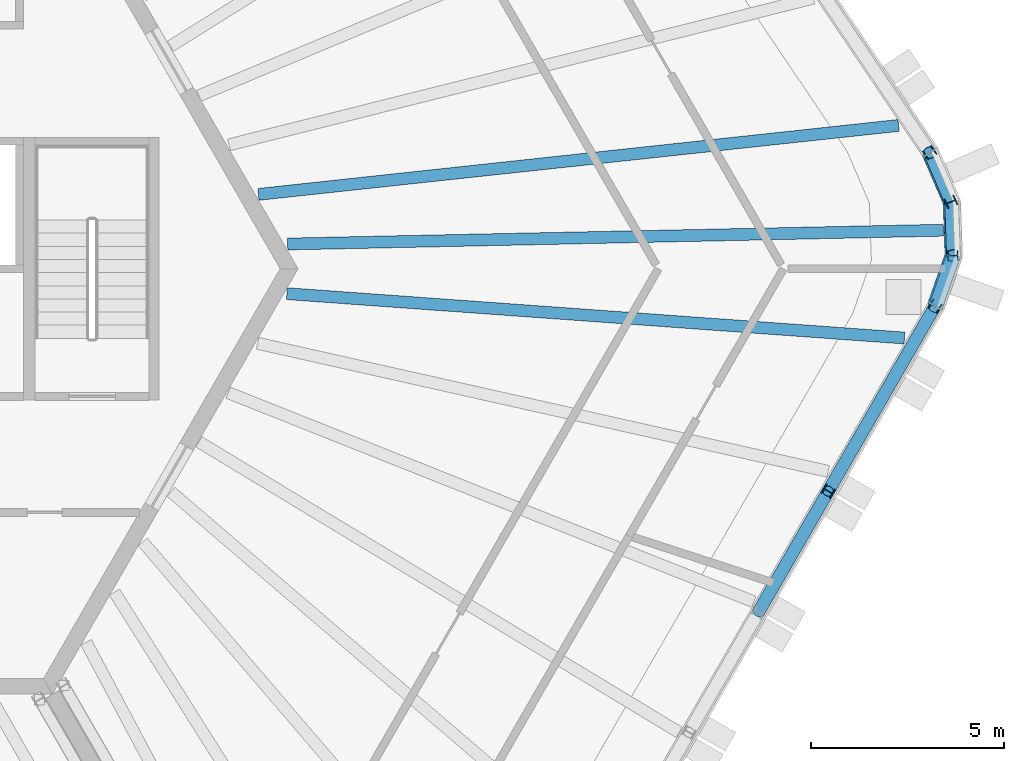
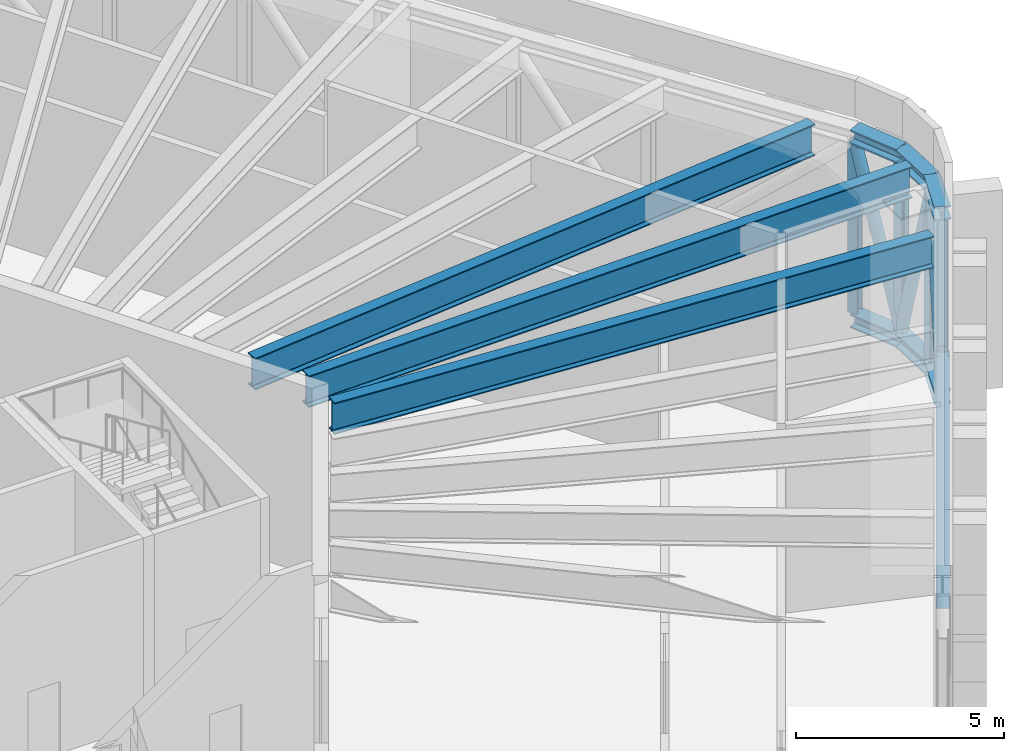
# One storey, part 5 of 19: 16 members, 3 beams.
"""IFC4 building model written with IfcOpenShell, lengths in metres."""

from ifc_helpers import new_model, si_unit, direction, frame, origin, origin_2d, place, context, subcontext, project, spatial, hollow_circle, i_section, extrude, material, material_profile, profile_set, type_object, element, save


model = new_model("IFC4")

# Units and contexts
model_context = context("Model", 3, precision=1e-05, world=origin(), true_north=direction((0.0, 1.0)))
body_context = subcontext(model_context, "Body", "Model", "MODEL_VIEW")
ifc_project = project(units=[si_unit("LENGTHUNIT", "METRE"), si_unit("AREAUNIT", "SQUARE_METRE"), si_unit("VOLUMEUNIT", "CUBIC_METRE"), si_unit("PLANEANGLEUNIT", "RADIAN"), si_unit("MASSUNIT", "GRAM", prefix="KILO")], contexts=[model_context])

# Site, building, storey
site_placement = place(None, origin())
site = spatial("IfcSite", under=ifc_project, at=site_placement, CompositionType="ELEMENT")
building_placement = place(site_placement, origin())
building = spatial("IfcBuilding", under=site, at=building_placement, Name="Tarnside Tower", CompositionType="ELEMENT")
storey_placement = place(building_placement, frame((0.0, 0.0, 343.5)))
storey = spatial("IfcBuildingStorey", under=building, at=storey_placement, Name="L83", CompositionType="ELEMENT", Elevation=343.5)

# Beams
ifc_material = material(Name="Steel S355", Category="steel")
ifc_material_profile_1 = material_profile(ifc_material, i_section(OverallWidth=0.3076171875, OverallDepth=0.926513671875, WebThickness=0.01953125, FlangeThickness=0.031982421875, FilletRadius=0.01904296875, at=origin_2d()), Name="UB 914x305x289")
ifc_profile_set_1 = profile_set([ifc_material_profile_1], Name="Steel S355")
beam_type = type_object("IfcBeamType", Name="Floor beam UB 914x305x289", PredefinedType="BEAM", material=ifc_profile_set_1)
beam_1_placement = place(storey_placement, frame((28.383544921875, -1.79150390625, 5.03662109375), z_axis=(-0.997427723748, 0.071679396611, 0.0), x_axis=(-0.071679396611, -0.997427723748, 0.0)))
element("IfcBeam", 1, at=beam_1_placement, inside=storey, type_object=beam_type, Name="Floor beam F5.07", PredefinedType="BEAM", context=body_context, shape_type="SweptSolid", body=[
    extrude(i_section(OverallWidth=0.3076171875, OverallDepth=0.926513671875, WebThickness=0.01953125, FlangeThickness=0.031982421875, FilletRadius=0.01904296875, at=origin_2d()), origin(), (0.0, 0.0, 1.0), 16.01171875),
])
beam_2_placement = place(storey_placement, frame((29.388671875, 0.9970703125, 5.03662109375), z_axis=(-0.999778801682, -0.021032063776, 0.0), x_axis=(0.021032063776, -0.999778801682, 0.0)))
element("IfcBeam", 2, at=beam_2_placement, inside=storey, type_object=beam_type, Name="Floor beam C5", PredefinedType="BEAM", context=body_context, shape_type="SweptSolid", body=[
    extrude(i_section(OverallWidth=0.3076171875, OverallDepth=0.926513671875, WebThickness=0.01953125, FlangeThickness=0.031982421875, FilletRadius=0.01904296875, at=origin_2d()), origin(), (0.0, 0.0, 1.0), 16.959228515625),
])
beam_3_placement = place(storey_placement, frame((28.231689453125, 3.706298828125, 5.03662109375), z_axis=(-0.994249483242, -0.107088585162, 0.0), x_axis=(0.107088585162, -0.994249483242, 0.0)))
element("IfcBeam", 3, at=beam_3_placement, inside=storey, type_object=beam_type, Name="Floor beam F6.01", PredefinedType="BEAM", context=body_context, shape_type="SweptSolid", body=[
    extrude(i_section(OverallWidth=0.3076171875, OverallDepth=0.926513671875, WebThickness=0.01953125, FlangeThickness=0.031982421875, FilletRadius=0.01904296875, at=origin_2d()), origin(), (0.0, 0.0, 1.0), 16.651611328125),
])

# Members
ifc_material_profile_2 = material_profile(ifc_material, i_section(OverallWidth=0.39892578125, OverallDepth=0.3935546875, WebThickness=0.022705078125, FlangeThickness=0.03662109375, FilletRadius=0.01513671875, at=origin_2d()), Name="UC 356x406x287")
ifc_profile_set_2 = profile_set([ifc_material_profile_2], Name="Steel S355")
member_type_1 = type_object("IfcMemberType", Name="Truss chord UC 356x406x287", PredefinedType="CHORD", material=ifc_profile_set_2)
for number, where, z_axis, x_axis, name in (
    (4, (29.173583984375, -0.969482421875, -0.103271484375), (0.331172877853, 0.943570095422, 0.0), (-0.943570095422, 0.331172877853, 0.0), "Belt truss bottom chord L83 corner5.1"),
    (5, (29.63330078125, 0.34033203125, -0.103271484375), (-0.034819626142, 0.999393612965, 0.0), (-0.999393612965, -0.034819626142, 0.0), "Belt truss bottom chord L83 corner5.2"),
):
    element("IfcMember", number, at=place(storey_placement, frame(where, z_axis=z_axis, x_axis=x_axis)), inside=storey, type_object=member_type_1, Name=name, PredefinedType="CHORD", context=body_context, shape_type="SweptSolid", body=[
        extrude(i_section(OverallWidth=0.39892578125, OverallDepth=0.3935546875, WebThickness=0.022705078125, FlangeThickness=0.03662109375, FilletRadius=0.01513671875, at=origin_2d()), origin(), (0.0, 0.0, 1.0), 1.38818359375),
    ])
member_1_placement = place(storey_placement, frame((29.5849609375, 1.727783203125, -0.103271484375), z_axis=(-0.396274288701, 0.918132173554, 0.0), x_axis=(-0.918132173554, -0.396274288701, 0.0)))
element("IfcMember", 6, at=member_1_placement, inside=storey, type_object=member_type_1, Name="Belt truss bottom chord L83 corner5.3", PredefinedType="CHORD", context=body_context, shape_type="SweptSolid", body=[
    extrude(i_section(OverallWidth=0.39892578125, OverallDepth=0.3935546875, WebThickness=0.022705078125, FlangeThickness=0.03662109375, FilletRadius=0.01513671875, at=origin_2d()), origin(), (0.0, 0.0, 1.0), 1.387939453125),
])
ifc_material_profile_3 = material_profile(ifc_material, i_section(OverallWidth=0.403076171875, OverallDepth=0.406494140625, WebThickness=0.026611328125, FlangeThickness=0.04296875, FilletRadius=0.01513671875, at=origin_2d()), Name="UC 356x406x340")
ifc_profile_set_3 = profile_set([ifc_material_profile_3], Name="Steel S355")
member_type_2 = type_object("IfcMemberType", Name="Truss chord UC 356x406x340", PredefinedType="CHORD", material=ifc_profile_set_3)
for number, where, z_axis, x_axis, name in (
    (7, (29.173583984375, -0.969482421875, 5.296875), (0.331172877853, 0.943570095422, 0.0), (-0.943570095422, 0.331172877853, 0.0), "Belt truss top chord L83 corner5.1"),
    (8, (29.63330078125, 0.34033203125, 5.296875), (-0.034819626142, 0.999393612965, 0.0), (-0.999393612965, -0.034819626142, 0.0), "Belt truss top chord L83 corner5.2"),
):
    element("IfcMember", number, at=place(storey_placement, frame(where, z_axis=z_axis, x_axis=x_axis)), inside=storey, type_object=member_type_2, Name=name, PredefinedType="CHORD", context=body_context, shape_type="SweptSolid", body=[
        extrude(i_section(OverallWidth=0.403076171875, OverallDepth=0.406494140625, WebThickness=0.026611328125, FlangeThickness=0.04296875, FilletRadius=0.01513671875, at=origin_2d()), origin(), (0.0, 0.0, 1.0), 1.38818359375),
    ])
member_2_placement = place(storey_placement, frame((29.5849609375, 1.727783203125, 5.296875), z_axis=(-0.396274288701, 0.918132173554, 0.0), x_axis=(-0.918132173554, -0.396274288701, 0.0)))
element("IfcMember", 9, at=member_2_placement, inside=storey, type_object=member_type_2, Name="Belt truss top chord L83 corner5.3", PredefinedType="CHORD", context=body_context, shape_type="SweptSolid", body=[
    extrude(i_section(OverallWidth=0.403076171875, OverallDepth=0.406494140625, WebThickness=0.026611328125, FlangeThickness=0.04296875, FilletRadius=0.01513671875, at=origin_2d()), origin(), (0.0, 0.0, 1.0), 1.387939453125),
])
ifc_material_profile_4 = material_profile(ifc_material, hollow_circle(Radius=0.161865234375, WallThickness=0.012451171875, at=origin_2d()), Name="CHS 323.9x12.5")
ifc_profile_set_4 = profile_set([ifc_material_profile_4], Name="Steel S355")
member_type_3 = type_object("IfcMemberType", Name="Truss diagonal CHS 323.9x12.5", PredefinedType="BRACE", material=ifc_profile_set_4)
member_3_placement = place(storey_placement, frame((24.612548828125, -8.869873046875, 0.093505859375), z_axis=(0.292159987665, 0.506019672112, 0.811533507037), x_axis=(-0.866018442252, 0.500012057535, 0.0)))
element("IfcMember", 10, at=member_3_placement, inside=storey, type_object=member_type_3, Name="Belt truss diagonal L83 41", PredefinedType="BRACE", context=body_context, shape_type="SweptSolid", body=[
    extrude(hollow_circle(Radius=0.161865234375, WallThickness=0.012451171875, at=origin_2d()), origin(), (0.0, 0.0, 1.0), 6.1611328125),
])
member_4_placement = place(storey_placement, frame((26.41259765625, -5.752197265625, 5.093505859375), z_axis=(0.370619197128, 0.642004604451, -0.671171735537), x_axis=(-0.8660501311, 0.499957168587, 0.0)))
element("IfcMember", 11, at=member_4_placement, inside=storey, type_object=member_type_3, Name="Belt truss diagonal L83 42", PredefinedType="BRACE", context=body_context, shape_type="SweptSolid", body=[
    extrude(hollow_circle(Radius=0.161865234375, WallThickness=0.012451171875, at=origin_2d()), origin(), (0.0, 0.0, 1.0), 7.44970703125),
])
for number, where, z_axis, x_axis, name in (
    (12, (29.173583984375, -0.969482421875, 0.093505859375), (0.08859246025, 0.252415586426, 0.963554745573), (-0.943570095422, 0.331172877853, 0.0), "Belt truss diagonal L83 43"),
    (13, (29.63330078125, 0.34033203125, 5.093505859375), (-0.009315547276, 0.267375026105, -0.96354751621), (-0.999393612965, -0.034819626142, 0.0), "Belt truss diagonal L83 44"),
    (14, (29.5849609375, 1.727783203125, 0.093505859375), (-0.106000960256, 0.245594768103, 0.963559549953), (-0.918132173554, -0.396274288701, 0.0), "Belt truss diagonal L83 45"),
):
    element("IfcMember", number, at=place(storey_placement, frame(where, z_axis=z_axis, x_axis=x_axis)), inside=storey, type_object=member_type_3, Name=name, PredefinedType="BRACE", context=body_context, shape_type="SweptSolid", body=[
        extrude(hollow_circle(Radius=0.161865234375, WallThickness=0.012451171875, at=origin_2d()), origin(), (0.0, 0.0, 1.0), 5.189208984375),
    ])
ifc_material_profile_5 = material_profile(ifc_material, i_section(OverallWidth=0.26123046875, OverallDepth=0.2763671875, WebThickness=0.015380859375, FlangeThickness=0.025390625, FilletRadius=0.0126953125, at=origin_2d()), Name="UC 254x254x132")
ifc_profile_set_5 = profile_set([ifc_material_profile_5], Name="Steel S355")
member_type_4 = type_object("IfcMemberType", Name="Truss post UC 254x254x132", PredefinedType="POST", material=ifc_profile_set_5)
for number, where, z_axis, x_axis, name in (
    (15, (26.41259765625, -5.752197265625, 0.093505859375), (0.0, 0.0, 1.0), (0.5, 0.866025403784, 0.0), "Belt truss post L83 42"),
    (16, (29.173583984375, -0.969482421875, 0.093505859375), (0.0, 0.0, 1.0), (0.5, 0.866025403784, 0.0), "Belt truss post L83 43"),
    (17, (29.63330078125, 0.34033203125, 0.093505859375), (0.0, 0.0, 1.0), (-0.034899496703, 0.999390827019, 0.0), "Belt truss post L83 44"),
    (18, (29.5849609375, 1.727783203125, 0.093505859375), (0.0, 0.0, 1.0), (-0.396079766034, 0.918216106883, 0.0), "Belt truss post L83 45"),
    (19, (29.034912109375, 3.002197265625, 0.093505859375), (0.0, 0.0, 1.0), (-0.559192903471, 0.829037572555, 0.0), "Belt truss post L83 46"),
):
    element("IfcMember", number, at=place(storey_placement, frame(where, z_axis=z_axis, x_axis=x_axis)), inside=storey, type_object=member_type_4, Name=name, PredefinedType="POST", context=body_context, shape_type="SweptSolid", body=[
        extrude(i_section(OverallWidth=0.26123046875, OverallDepth=0.2763671875, WebThickness=0.015380859375, FlangeThickness=0.025390625, FilletRadius=0.0126953125, at=origin_2d()), origin(), (0.0, 0.0, 1.0), 5.0),
    ])

save(model, "model.ifc")
